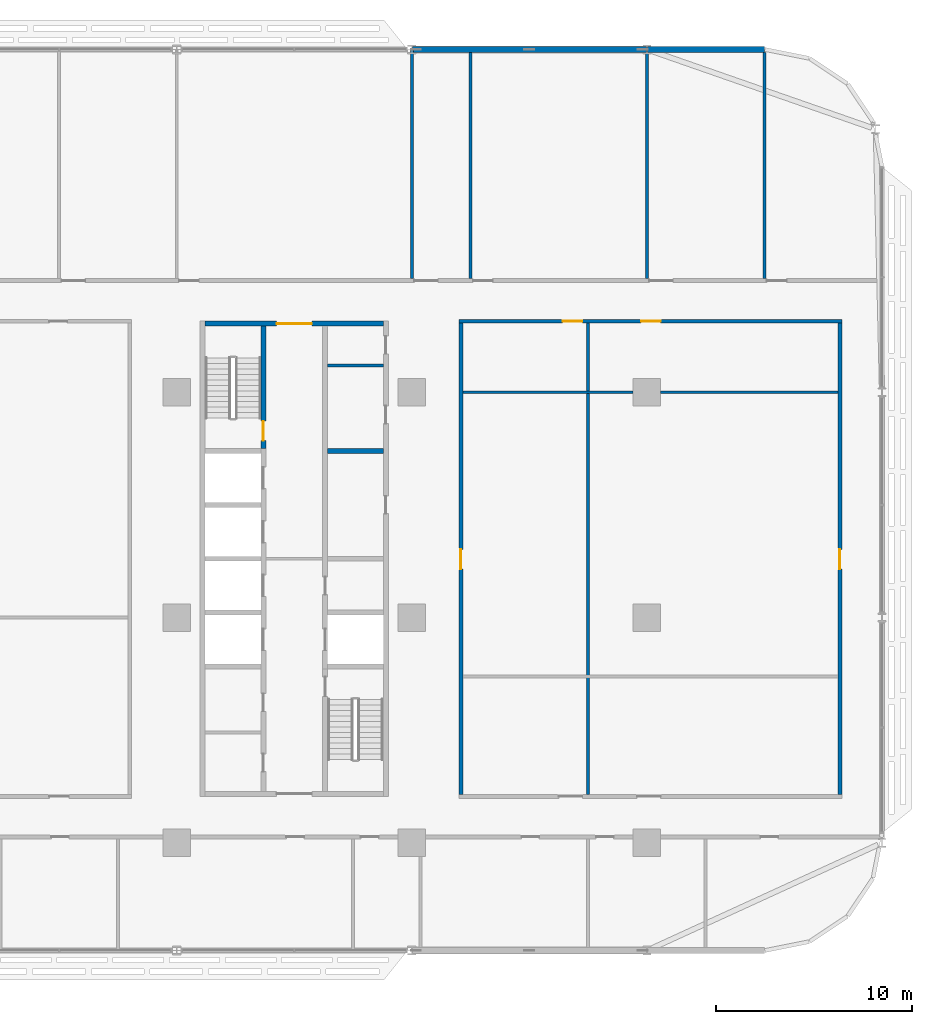
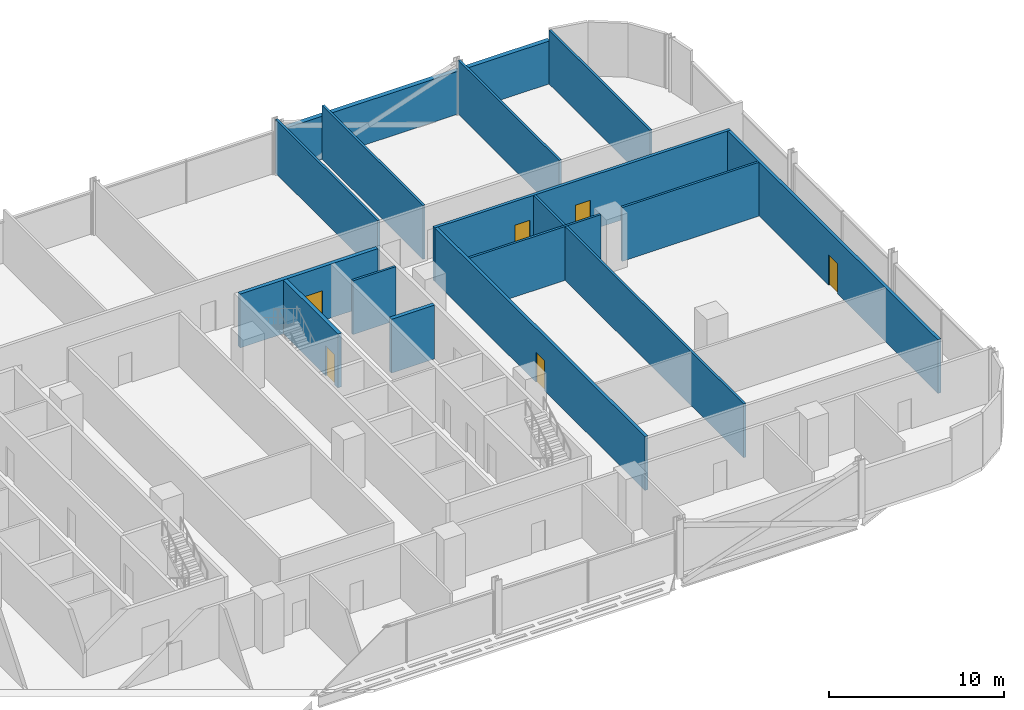
# One storey, part 17 of 29: 16 walls, 6 doors, 6 openings.
"""IFC4 building model written with IfcOpenShell, lengths in metres."""

from ifc_helpers import new_model, si_unit, direction, frame, frame_2d, origin, place, context, subcontext, project, spatial, rectangle, extrude, material, layer, layer_set, type_object, element, fill, save


model = new_model("IFC4")

# Units and contexts
model_context = context("Model", 3, precision=1e-05, world=origin(), true_north=direction((0.0, 1.0)))
body_context = subcontext(model_context, "Body", "Model", "MODEL_VIEW")
ifc_project = project(units=[si_unit("LENGTHUNIT", "METRE"), si_unit("AREAUNIT", "SQUARE_METRE"), si_unit("VOLUMEUNIT", "CUBIC_METRE"), si_unit("PLANEANGLEUNIT", "RADIAN"), si_unit("MASSUNIT", "GRAM", prefix="KILO")], contexts=[model_context])

# Site, building, storey
site_placement = place(None, origin())
site = spatial("IfcSite", under=ifc_project, at=site_placement, CompositionType="ELEMENT")
building_placement = place(site_placement, origin())
building = spatial("IfcBuilding", under=site, at=building_placement, Name="Mahtab Terrace Research Tower", CompositionType="ELEMENT")
storey_placement = place(building_placement, frame((0.0, 0.0, 97.10009765625)))
storey = spatial("IfcBuildingStorey", under=building, at=storey_placement, Name="L22", CompositionType="ELEMENT", Elevation=97.10009765625)

# Wall
ifc_material_1 = material(Name="Gypsum board partition")
ifc_layer_1 = layer(ifc_material_1, 0.14990234375)
ifc_layer_set_1 = layer_set([ifc_layer_1], Name="Core partition 150")
wall_type_1 = type_object("IfcWallType", Name="Core partition 150", PredefinedType="PARTITIONING", material=ifc_layer_set_1)
wall_1_placement = place(storey_placement, frame((25.699951171875, 12.875, 0.0), z_axis=(0.0, 0.0, 1.0), x_axis=(1.0, 0.0, 0.0)))
element("IfcWall", 1, at=wall_1_placement, inside=storey, type_object=wall_type_1, Name="Core wall C pEN988", PredefinedType="PARTITIONING", context=body_context, shape_type="SweptSolid", body=[
    extrude(rectangle(XDim=2.85009765625, YDim=0.14990234375, at=frame_2d((1.425048828125, 0.0))), origin(), (0.0, 0.0, 1.0), 3.760009765625),
])

# Wall, opening, door
ifc_material_2 = material(Name="Concrete C70/85", Category="concrete")
ifc_layer_2 = layer(ifc_material_2, 0.25)
ifc_layer_set_2 = layer_set([ifc_layer_2], Name="Core wall 250")
wall_type_2 = type_object("IfcWallType", Name="Core wall 250", PredefinedType="SOLIDWALL", material=ifc_layer_set_2)
wall_2_placement = place(storey_placement, frame((19.449951171875, 15.0, 0.0), z_axis=(0.0, 0.0, 1.0), x_axis=(1.0, 0.0, 0.0)))
wall_2 = element("IfcWall", 2, at=wall_2_placement, inside=storey, type_object=wall_type_2, Name="Core wall C endN", PredefinedType="SOLIDWALL", context=body_context, shape_type="SweptSolid", body=[
    extrude(rectangle(XDim=9.10009765625, YDim=0.25, at=frame_2d((4.550048828125, 0.0))), origin(), (0.0, 0.0, 1.0), 3.760009765625),
])
opening_1_placement = place(wall_2_placement, frame((3.64990234375, 0.0, 0.0)))
opening_1 = element("IfcOpeningElement", 3, at=opening_1_placement, cuts=wall_2, Name="Opening C-N1", PredefinedType="OPENING", context=body_context, shape_type="SweptSolid", body=[
    extrude(rectangle(XDim=1.800048828125, YDim=2.10009765625, at=frame_2d((0.89990234375, 1.050048828125))), frame((0.0, 0.135009765625, 0.0), z_axis=(0.0, -1.0, 0.0), x_axis=(1.0, 0.0, 0.0)), (0.0, 0.0, 1.0), 0.27001953125),
])
ifc_material_3 = material(Name="Steel fire door", Category="steel")
door_type_1 = type_object("IfcDoorType", Name="Lobby double door 1800x2100 1 HR", OperationType="DOUBLE_DOOR_SINGLE_SWING", PredefinedType="DOOR", material=ifc_material_3)
door_1_placement = place(opening_1_placement, origin())
door_1 = element("IfcDoor", 4, at=door_1_placement, inside=storey, type_object=door_type_1, Name="Core entrance door C N", OperationType="DOUBLE_DOOR_SINGLE_SWING", OverallHeight=2.10009765625, OverallWidth=1.800048828125, PredefinedType="DOOR", context=body_context, shape_type="SweptSolid", body=[
    extrude(rectangle(XDim=1.800048828125, YDim=2.10009765625, at=frame_2d((0.89990234375, 1.050048828125))), frame((0.0, 0.02490234375, 0.0), z_axis=(0.0, -1.0, 0.0), x_axis=(1.0, 0.0, 0.0)), (0.0, 0.0, 1.0), 0.050048828125),
])
fill(opening_1, door_1)

wall_3_placement = place(storey_placement, frame((22.425048828125, 14.875, 0.0), z_axis=(0.0, 0.0, 1.0), x_axis=(0.0, -1.0, 0.0)))
wall_3 = element("IfcWall", 5, at=wall_3_placement, inside=storey, type_object=wall_type_2, Name="Core wall C innerWN", PredefinedType="SOLIDWALL", context=body_context, shape_type="SweptSolid", body=[
    extrude(rectangle(XDim=6.25, YDim=0.25, at=frame_2d((3.125, 0.0))), origin(), (0.0, 0.0, 1.0), 3.760009765625),
])
opening_2_placement = place(wall_3_placement, frame((4.85009765625, 0.0, 0.0)))
opening_2 = element("IfcOpeningElement", 6, at=opening_2_placement, cuts=wall_3, Name="Opening C-ST3", PredefinedType="OPENING", context=body_context, shape_type="SweptSolid", body=[
    extrude(rectangle(XDim=1.0, YDim=2.10009765625, at=frame_2d((0.5, 1.050048828125))), frame((0.0, 0.135009765625, 0.0), z_axis=(0.0, -1.0, 0.0), x_axis=(1.0, 0.0, 0.0)), (0.0, 0.0, 1.0), 0.27001953125),
])
door_type_2 = type_object("IfcDoorType", Name="Stair door 1000x2100 1.5 HR", OperationType="NOTDEFINED", PredefinedType="DOOR", material=ifc_material_3)
door_2_placement = place(opening_2_placement, origin())
door_2 = element("IfcDoor", 7, at=door_2_placement, inside=storey, type_object=door_type_2, Name="Stair door ST3 L22", OperationType="SINGLE_SWING_LEFT", OverallHeight=2.10009765625, OverallWidth=1.0, PredefinedType="DOOR", context=body_context, shape_type="SweptSolid", body=[
    extrude(rectangle(XDim=1.0, YDim=2.10009765625, at=frame_2d((0.5, 1.050048828125))), frame((0.0, 0.02490234375, 0.0), z_axis=(0.0, -1.0, 0.0), x_axis=(1.0, 0.0, 0.0)), (0.0, 0.0, 1.0), 0.050048828125),
])
fill(opening_2, door_2)

# Walls
wall_4_placement = place(storey_placement, frame((25.699951171875, 8.5, 0.0), z_axis=(0.0, 0.0, 1.0), x_axis=(1.0, 0.0, 0.0)))
element("IfcWall", 8, at=wall_4_placement, inside=storey, type_object=wall_type_2, Name="Core wall C divE4", PredefinedType="SOLIDWALL", context=body_context, shape_type="SweptSolid", body=[
    extrude(rectangle(XDim=2.85009765625, YDim=0.25, at=frame_2d((1.425048828125, 0.0))), origin(), (0.0, 0.0, 1.0), 3.760009765625),
])
ifc_material_4 = material(Name="Black aluminium cladding panel", Category="aluminium")
ifc_layer_3 = layer(ifc_material_4, 0.300048828125)
ifc_layer_set_3 = layer_set([ifc_layer_3], Name="Opaque facade wall 300")
wall_type_3 = type_object("IfcWallType", Name="Opaque facade wall 300", PredefinedType="NOTDEFINED", material=ifc_layer_set_3)
wall_5_placement = place(storey_placement, frame((48.0, 29.0, 0.0), z_axis=(0.0, 0.0, 1.0), x_axis=(-1.0, 0.0, 0.0)))
element("IfcWall", 9, at=wall_5_placement, inside=storey, type_object=wall_type_3, Name="Opaque facade wall L22 N3", PredefinedType="NOTDEFINED", context=body_context, shape_type="SweptSolid", body=[
    extrude(rectangle(XDim=5.97900390625, YDim=0.300048828125, at=frame_2d((2.989501953125, 0.0))), origin(), (0.0, 0.0, 1.0), 3.0029296875),
])
wall_6_placement = place(storey_placement, frame((41.97900390625, 29.0, 0.0), z_axis=(0.0, 0.0, 1.0), x_axis=(-1.0, 0.0, 0.0)))
element("IfcWall", 10, at=wall_6_placement, inside=storey, type_object=wall_type_3, Name="Opaque facade wall L22 N4", PredefinedType="NOTDEFINED", context=body_context, shape_type="SweptSolid", body=[
    extrude(rectangle(XDim=11.9580078125, YDim=0.300048828125, at=frame_2d((5.97900390625, 0.0))), origin(), (0.0, 0.0, 1.0), 3.0029296875),
])

# Wall, openings, doors
ifc_material_5 = material(Name="Gypsum board corridor wall on steel studs", Category="steel")
ifc_layer_4 = layer(ifc_material_5, 0.199951171875)
ifc_layer_set_4 = layer_set([ifc_layer_4], Name="WALL CORRIDOR 200")
wall_type_4 = type_object("IfcWallType", Name="WALL CORRIDOR 200", PredefinedType="PARTITIONING", material=ifc_layer_set_4)
wall_7_placement = place(storey_placement, frame((32.39990234375, 15.125, 0.0), z_axis=(0.0, 0.0, 1.0), x_axis=(1.0, 0.0, 0.0)))
wall_7 = element("IfcWall", 11, at=wall_7_placement, inside=storey, type_object=wall_type_4, Name="L22-W023", PredefinedType="PARTITIONING", context=body_context, shape_type="SweptSolid", body=[
    extrude(rectangle(XDim=19.550048828125, YDim=0.199951171875, at=frame_2d((9.77490234375, 0.0))), origin(), (0.0, 0.0, 1.0), 3.760009765625),
])
opening_3_placement = place(wall_7_placement, frame((5.300048828125, 0.0, 0.0)))
opening_3 = element("IfcOpeningElement", 12, at=opening_3_placement, cuts=wall_7, Name="Opening L22-125", PredefinedType="OPENING", context=body_context, shape_type="SweptSolid", body=[
    extrude(rectangle(XDim=1.0, YDim=2.10009765625, at=frame_2d((0.5, 1.050048828125))), frame((0.0, 0.10986328125, 0.0), z_axis=(0.0, -1.0, 0.0), x_axis=(1.0, 0.0, 0.0)), (0.0, 0.0, 1.0), 0.219970703125),
])
opening_4_placement = place(wall_7_placement, frame((9.300048828125, 0.0, 0.0)))
opening_4 = element("IfcOpeningElement", 13, at=opening_4_placement, cuts=wall_7, Name="Opening L22-126", PredefinedType="OPENING", context=body_context, shape_type="SweptSolid", body=[
    extrude(rectangle(XDim=1.0, YDim=2.10009765625, at=frame_2d((0.5, 1.050048828125))), frame((0.0, 0.10986328125, 0.0), z_axis=(0.0, -1.0, 0.0), x_axis=(1.0, 0.0, 0.0)), (0.0, 0.0, 1.0), 0.219970703125),
])
ifc_material_6 = material(Name="Timber door leaf in steel frame", Category="steel")
door_type_3 = type_object("IfcDoorType", Name="DOOR 1000X2100 FD30S", OperationType="SINGLE_SWING_LEFT", PredefinedType="DOOR", material=ifc_material_6)
door_3_placement = place(opening_3_placement, origin())
door_3 = element("IfcDoor", 14, at=door_3_placement, inside=storey, type_object=door_type_3, Name="Door L22-125", OperationType="SINGLE_SWING_RIGHT", OverallHeight=2.10009765625, OverallWidth=1.0, PredefinedType="DOOR", context=body_context, shape_type="SweptSolid", body=[
    extrude(rectangle(XDim=1.0, YDim=2.10009765625, at=frame_2d((0.5, 1.050048828125))), frame((0.0, 0.02490234375, 0.0), z_axis=(0.0, -1.0, 0.0), x_axis=(1.0, 0.0, 0.0)), (0.0, 0.0, 1.0), 0.050048828125),
])
fill(opening_3, door_3)
door_4_placement = place(opening_4_placement, origin())
door_4 = element("IfcDoor", 15, at=door_4_placement, inside=storey, type_object=door_type_3, Name="Door L22-126", OperationType="SINGLE_SWING_LEFT", OverallHeight=2.10009765625, OverallWidth=1.0, PredefinedType="DOOR", context=body_context, shape_type="SweptSolid", body=[
    extrude(rectangle(XDim=1.0, YDim=2.10009765625, at=frame_2d((0.5, 1.050048828125))), frame((0.0, 0.02490234375, 0.0), z_axis=(0.0, -1.0, 0.0), x_axis=(1.0, 0.0, 0.0)), (0.0, 0.0, 1.0), 0.050048828125),
])
fill(opening_4, door_4)

# Wall, opening, door
wall_8_placement = place(storey_placement, frame((32.5, -9.02490234375, 0.0), z_axis=(0.0, 0.0, 1.0), x_axis=(0.0, 1.0, 0.0)))
wall_8 = element("IfcWall", 16, at=wall_8_placement, inside=storey, type_object=wall_type_4, Name="L22-W050", PredefinedType="PARTITIONING", context=body_context, shape_type="SweptSolid", body=[
    extrude(rectangle(XDim=24.0498046875, YDim=0.199951171875, at=frame_2d((12.02490234375, 0.0))), origin(), (0.0, 0.0, 1.0), 3.760009765625),
])
opening_5_placement = place(wall_8_placement, frame((11.5, 0.0, 0.0)))
opening_5 = element("IfcOpeningElement", 17, at=opening_5_placement, cuts=wall_8, Name="Opening L22-120", PredefinedType="OPENING", context=body_context, shape_type="SweptSolid", body=[
    extrude(rectangle(XDim=1.0, YDim=2.10009765625, at=frame_2d((0.5, 1.050048828125))), frame((0.0, 0.10986328125, 0.0), z_axis=(0.0, -1.0, 0.0), x_axis=(1.0, 0.0, 0.0)), (0.0, 0.0, 1.0), 0.219970703125),
])
door_5_placement = place(opening_5_placement, origin())
door_5 = element("IfcDoor", 18, at=door_5_placement, inside=storey, type_object=door_type_3, Name="Door L22-120", OperationType="SINGLE_SWING_RIGHT", OverallHeight=2.10009765625, OverallWidth=1.0, PredefinedType="DOOR", context=body_context, shape_type="SweptSolid", body=[
    extrude(rectangle(XDim=1.0, YDim=2.10009765625, at=frame_2d((0.5, 1.050048828125))), frame((0.0, 0.02490234375, 0.0), z_axis=(0.0, -1.0, 0.0), x_axis=(1.0, 0.0, 0.0)), (0.0, 0.0, 1.0), 0.050048828125),
])
fill(opening_5, door_5)

wall_9_placement = place(storey_placement, frame((51.85009765625, -9.02490234375, 0.0), z_axis=(0.0, 0.0, 1.0), x_axis=(0.0, 1.0, 0.0)))
wall_9 = element("IfcWall", 19, at=wall_9_placement, inside=storey, type_object=wall_type_4, Name="L22-W057", PredefinedType="PARTITIONING", context=body_context, shape_type="SweptSolid", body=[
    extrude(rectangle(XDim=24.0498046875, YDim=0.199951171875, at=frame_2d((12.02490234375, 0.0))), origin(), (0.0, 0.0, 1.0), 3.760009765625),
])
opening_6_placement = place(wall_9_placement, frame((11.5, 0.0, 0.0)))
opening_6 = element("IfcOpeningElement", 20, at=opening_6_placement, cuts=wall_9, Name="Opening L22-121", PredefinedType="OPENING", context=body_context, shape_type="SweptSolid", body=[
    extrude(rectangle(XDim=1.0, YDim=2.10009765625, at=frame_2d((0.5, 1.050048828125))), frame((0.0, 0.10986328125, 0.0), z_axis=(0.0, -1.0, 0.0), x_axis=(1.0, 0.0, 0.0)), (0.0, 0.0, 1.0), 0.219970703125),
])
door_6_placement = place(opening_6_placement, origin())
door_6 = element("IfcDoor", 21, at=door_6_placement, inside=storey, type_object=door_type_3, Name="Door L22-121", OperationType="SINGLE_SWING_LEFT", OverallHeight=2.10009765625, OverallWidth=1.0, PredefinedType="DOOR", context=body_context, shape_type="SweptSolid", body=[
    extrude(rectangle(XDim=1.0, YDim=2.10009765625, at=frame_2d((0.5, 1.050048828125))), frame((0.0, 0.02490234375, 0.0), z_axis=(0.0, -1.0, 0.0), x_axis=(1.0, 0.0, 0.0)), (0.0, 0.0, 1.0), 0.050048828125),
])
fill(opening_6, door_6)

# Walls
ifc_material_7 = material(Name="Gypsum board partition on steel studs", Category="steel")
ifc_layer_5 = layer(ifc_material_7, 0.14990234375)
ifc_layer_set_5 = layer_set([ifc_layer_5], Name="WALL PARTITION 150")
wall_type_5 = type_object("IfcWallType", Name="WALL PARTITION 150", PredefinedType="PARTITIONING", material=ifc_layer_set_5)
wall_10_placement = place(storey_placement, frame((32.60009765625, 11.5, 0.0), z_axis=(0.0, 0.0, 1.0), x_axis=(1.0, 0.0, 0.0)))
element("IfcWall", 22, at=wall_10_placement, inside=storey, type_object=wall_type_5, Name="L22-W018", PredefinedType="PARTITIONING", context=body_context, shape_type="SweptSolid", body=[
    extrude(rectangle(XDim=8.699951171875, YDim=0.14990234375, at=frame_2d((4.35009765625, 0.0))), origin(), (0.0, 0.0, 1.0), 3.760009765625),
])
wall_11_placement = place(storey_placement, frame((42.699951171875, 11.5, 0.0), z_axis=(0.0, 0.0, 1.0), x_axis=(1.0, 0.0, 0.0)))
element("IfcWall", 23, at=wall_11_placement, inside=storey, type_object=wall_type_5, Name="L22-W019", PredefinedType="PARTITIONING", context=body_context, shape_type="SweptSolid", body=[
    extrude(rectangle(XDim=9.050048828125, YDim=0.14990234375, at=frame_2d((4.52490234375, 0.0))), origin(), (0.0, 0.0, 1.0), 3.760009765625),
])
wall_12_placement = place(storey_placement, frame((30.0, 17.300048828125, 0.0), z_axis=(0.0, 0.0, 1.0), x_axis=(0.0, 1.0, 0.0)))
element("IfcWall", 24, at=wall_12_placement, inside=storey, type_object=wall_type_5, Name="L22-W048", PredefinedType="PARTITIONING", context=body_context, shape_type="SweptSolid", body=[
    extrude(rectangle(XDim=11.675048828125, YDim=0.14990234375, at=frame_2d((5.83740234375, 0.0))), origin(), (0.0, 0.0, 1.0), 3.760009765625),
])
wall_13_placement = place(storey_placement, frame((33.0, 17.300048828125, 0.0), z_axis=(0.0, 0.0, 1.0), x_axis=(0.0, 1.0, 0.0)))
element("IfcWall", 25, at=wall_13_placement, inside=storey, type_object=wall_type_5, Name="L22-W051", PredefinedType="PARTITIONING", context=body_context, shape_type="SweptSolid", body=[
    extrude(rectangle(XDim=11.550048828125, YDim=0.14990234375, at=frame_2d((5.77490234375, 0.0))), origin(), (0.0, 0.0, 1.0), 3.760009765625),
])
wall_14_placement = place(storey_placement, frame((39.0, -9.02490234375, 0.0), z_axis=(0.0, 0.0, 1.0), x_axis=(0.0, 1.0, 0.0)))
element("IfcWall", 26, at=wall_14_placement, inside=storey, type_object=wall_type_5, Name="L22-W053", PredefinedType="PARTITIONING", context=body_context, shape_type="SweptSolid", body=[
    extrude(rectangle(XDim=24.0498046875, YDim=0.14990234375, at=frame_2d((12.02490234375, 0.0))), origin(), (0.0, 0.0, 1.0), 3.760009765625),
])
wall_15_placement = place(storey_placement, frame((42.0, 17.300048828125, 0.0), z_axis=(0.0, 0.0, 1.0), x_axis=(0.0, 1.0, 0.0)))
element("IfcWall", 27, at=wall_15_placement, inside=storey, type_object=wall_type_5, Name="L22-W054", PredefinedType="PARTITIONING", context=body_context, shape_type="SweptSolid", body=[
    extrude(rectangle(XDim=11.550048828125, YDim=0.14990234375, at=frame_2d((5.77490234375, 0.0))), origin(), (0.0, 0.0, 1.0), 3.760009765625),
])
wall_16_placement = place(storey_placement, frame((48.0, 17.300048828125, 0.0), z_axis=(0.0, 0.0, 1.0), x_axis=(0.0, 1.0, 0.0)))
element("IfcWall", 28, at=wall_16_placement, inside=storey, type_object=wall_type_5, Name="L22-W056", PredefinedType="PARTITIONING", context=body_context, shape_type="SweptSolid", body=[
    extrude(rectangle(XDim=11.547119140625, YDim=0.14990234375, at=frame_2d((5.7734375, 0.0))), origin(), (0.0, 0.0, 1.0), 3.760009765625),
])

save(model, "model.ifc")
